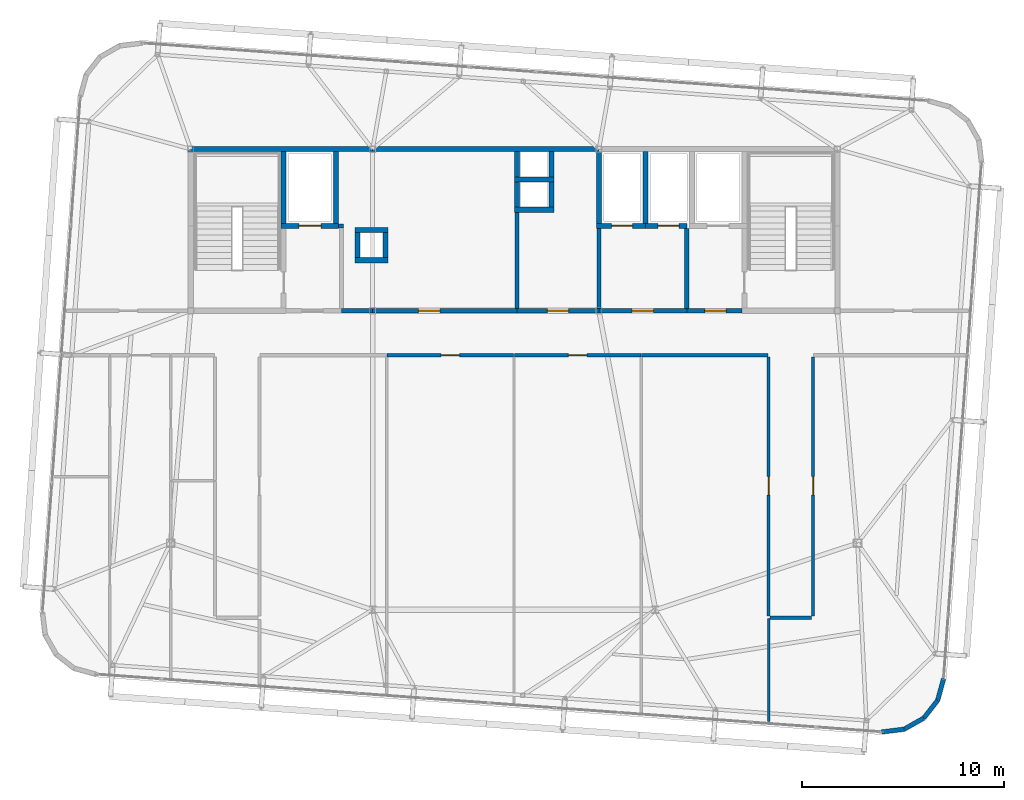
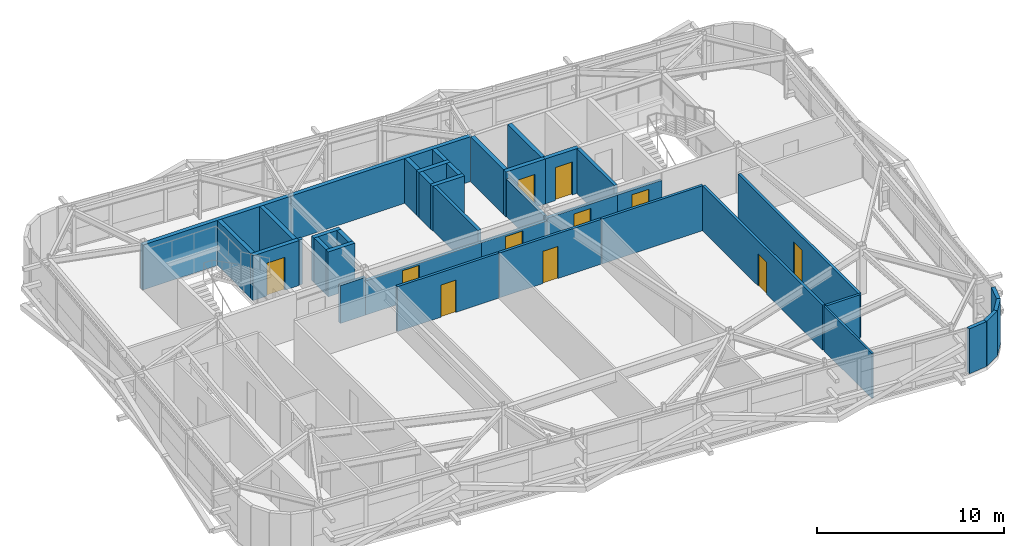
# One storey, part 39 of 42: 39 walls, 11 doors, 11 openings.
"""IFC4 building model written with IfcOpenShell, lengths in metres."""

from ifc_helpers import new_model, si_unit, direction, frame, frame_2d, origin, place, context, subcontext, project, spatial, rectangle, extrude, source, transform, mapped, material, layer, layer_set, type_object, element, fill, save


model = new_model("IFC4")

# Units and contexts
model_context = context("Model", 3, precision=1e-05, world=origin(), true_north=direction((0.0, 1.0)))
body_context = subcontext(model_context, "Body", "Model", "MODEL_VIEW")
ifc_project = project(units=[si_unit("LENGTHUNIT", "METRE"), si_unit("AREAUNIT", "SQUARE_METRE"), si_unit("VOLUMEUNIT", "CUBIC_METRE"), si_unit("PLANEANGLEUNIT", "RADIAN"), si_unit("MASSUNIT", "GRAM", prefix="KILO")], contexts=[model_context])

# Site, building, storey
site_placement = place(None, origin())
site = spatial("IfcSite", under=ifc_project, at=site_placement, CompositionType="ELEMENT")
building_placement = place(site_placement, origin())
building = spatial("IfcBuilding", under=site, at=building_placement, Name="Taldren Reach Tower", CompositionType="ELEMENT")
storey_placement = place(building_placement, frame((0.0, 0.0, 224.0)))
storey = spatial("IfcBuildingStorey", under=building, at=storey_placement, Name="L68", CompositionType="ELEMENT", Elevation=224.0)

# Walls
ifc_material_1 = material(Name="Pale Champagne Anodised Aluminium Cladding", Category="aluminium")
ifc_layer_1 = layer(ifc_material_1, 0.04, Name="Pale Champagne Anodised Aluminium Cladding", Category="aluminium")
ifc_material_2 = material(Name="Mineral Wool Acoustic Insulation", Category="insulation")
ifc_layer_2 = layer(ifc_material_2, 0.06, Name="Mineral Wool Acoustic Insulation", Category="insulation")
ifc_material_3 = material(Name="Steel Gr 350 (C350L0)", Category="steel")
ifc_layer_3 = layer(ifc_material_3, 0.12, Name="Steel Gr 350 (C350L0)", Category="steel")
ifc_layer_set_1 = layer_set([ifc_layer_1, ifc_layer_2, ifc_layer_3], Name="Pale Champagne Aluminium Cladding and Steel Gr 350 Stud Framing")
wall_type_1 = type_object("IfcWallType", Name="EW-CRN-220", PredefinedType="SOLIDWALL", material=ifc_layer_set_1)
shared_shape_1 = source(origin(), body_context, "Body", "SweptSolid", [
    extrude(rectangle(XDim=1.115966796875, YDim=0.219970703125, at=frame_2d((0.55810546875, 0.0))), origin(), (0.0, 0.0, 1.0), 2.929931640625),
])
for number, where, z_axis, x_axis, name in (
    (1, (53.20068359375, 3.15380859375, 0.0), (0.0, 0.0, 1.0), (0.992438604032, 0.122742076028, 0.0), "Rounded-corner pale-metal facade wall L68-SE1"),
    (2, (55.279052734375, 3.84130859375, 0.0), (0.0, 0.0, 1.0), (0.615015475096, 0.788515038152, 0.0), "Rounded-corner pale-metal facade wall L68-SE3"),
    (3, (55.96533203125, 4.72119140625, 0.0), (0.0, 0.0, 1.0), (0.26624444942, 0.963905541613, 0.0), "Rounded-corner pale-metal facade wall L68-SE4"),
):
    element("IfcWall", number, at=place(storey_placement, frame(where, z_axis=z_axis, x_axis=x_axis)), inside=storey, type_object=wall_type_1, Name=name, PredefinedType="SOLIDWALL", context=body_context, shape_type="MappedRepresentation", body=[
        mapped(shared_shape_1, transform((0.0, 0.0, 0.0), scale=1.0)),
    ])
shared_shape_2 = source(origin(), body_context, "Body", "SweptSolid", [
    extrude(rectangle(XDim=1.1162109375, YDim=0.219970703125, at=frame_2d((0.55810546875, 0.0))), origin(), (0.0, 0.0, 1.0), 2.929931640625),
])
wall_1_placement = place(storey_placement, frame((54.30810546875, 3.290771484375, 0.0), z_axis=(0.0, 0.0, 1.0), x_axis=(0.869893934693, 0.49323882895, 0.0)))
element("IfcWall", 4, at=wall_1_placement, inside=storey, type_object=wall_type_1, Name="Rounded-corner pale-metal facade wall L68-SE2", PredefinedType="SOLIDWALL", context=body_context, shape_type="MappedRepresentation", body=[
    mapped(shared_shape_2, transform((0.0, 0.0, 0.0), scale=1.0)),
])

# Wall, opening, door
ifc_material_4 = material(Name="Concrete S50 (50 MPa)", Category="concrete")
ifc_layer_4 = layer(ifc_material_4, 0.199951171875)
ifc_layer_set_2 = layer_set([ifc_layer_4], Name="Concrete S50 (50 MPa)")
wall_type_2 = type_object("IfcWallType", Name="IW-CORE-200", PredefinedType="SOLIDWALL", material=ifc_layer_set_2)
shared_shape_3 = source(origin(), body_context, "Body", "SweptSolid", [
    extrude(rectangle(XDim=4.35009765625, YDim=0.199951171875, at=frame_2d((2.175048828125, 0.0))), origin(), (0.0, 0.0, 1.0), 2.39697265625),
])
wall_2_placement = place(storey_placement, frame((43.550048828125, 24.0, 0.0), z_axis=(0.0, 0.0, 1.0), x_axis=(-1.0, 0.0, 0.0)))
wall_2 = element("IfcWall", 5, at=wall_2_placement, inside=storey, type_object=wall_type_2, Name="Rear Core Shear Wall W-INT-L68-030", PredefinedType="SOLIDWALL", context=body_context, shape_type="MappedRepresentation", body=[
    mapped(shared_shape_3, transform((0.0, 0.0, 0.0), scale=1.0)),
])
shared_shape_4 = source(origin(), body_context, "Body", "SweptSolid", [
    extrude(rectangle(XDim=1.050048828125, YDim=2.10009765625, at=frame_2d((0.52490234375, 1.050048828125))), frame((0.0, 0.10986328125, 0.0), z_axis=(0.0, -1.0, 0.0), x_axis=(1.0, 0.0, 0.0)), (0.0, 0.0, 1.0), 0.219970703125),
])
opening_1_placement = place(wall_2_placement, frame((1.64990234375, 0.0, 0.0)))
opening_1 = element("IfcOpeningElement", 6, at=opening_1_placement, cuts=wall_2, Name="Opening DF-105", PredefinedType="OPENING", context=body_context, shape_type="MappedRepresentation", body=[
    mapped(shared_shape_4, transform((0.0, 0.0, 0.0), scale=1.0)),
])
ifc_material_5 = material(Name="Fire-Rated Care and Stair Exit Door")
door_type_1 = type_object("IfcDoorType", Name="ID-FIRE-105", OperationType="NOTDEFINED", PredefinedType="DOOR", material=ifc_material_5)
shared_shape_5 = source(origin(), body_context, "Body", "SweptSolid", [
    extrude(rectangle(XDim=1.050048828125, YDim=2.10009765625, at=frame_2d((0.52490234375, 1.050048828125))), frame((0.0, 0.02490234375, 0.0), z_axis=(0.0, -1.0, 0.0), x_axis=(1.0, 0.0, 0.0)), (0.0, 0.0, 1.0), 0.050048828125),
])
door_1_placement = place(opening_1_placement, frame((1.050048828125, 0.0, 0.0), z_axis=(0.0, 0.0, 1.0), x_axis=(-1.0, 0.0, 0.0)))
door_1 = element("IfcDoor", 7, at=door_1_placement, inside=storey, type_object=door_type_1, Name="Interior Door DR-L68-005", OperationType="SINGLE_SWING_LEFT", OverallHeight=2.10009765625, OverallWidth=1.050048828125, PredefinedType="DOOR", context=body_context, shape_type="MappedRepresentation", body=[
    mapped(shared_shape_5, transform((0.0, 0.0, 0.0), scale=1.0)),
])
fill(opening_1, door_1)

# Wall
ifc_material_6 = material(Name="Fire-Rated Acoustic Plasterboard Stud Wall", Category="gypsum")
ifc_layer_5 = layer(ifc_material_6, 0.159912109375)
ifc_layer_set_3 = layer_set([ifc_layer_5], Name="Fire-Rated Acoustic Plasterboard Stud Wall")
wall_type_3 = type_object("IfcWallType", Name="IW-FIRE-160", PredefinedType="PARTITIONING", material=ifc_layer_set_3)
shared_shape_6 = source(origin(), body_context, "Body", "SweptSolid", [
    extrude(rectangle(XDim=2.0400390625, YDim=0.159912109375, at=frame_2d((1.02001953125, 0.0))), origin(), (0.0, 0.0, 1.0), 2.929931640625),
])
wall_3_placement = place(storey_placement, frame((49.719970703125, 8.800048828125, 0.0), z_axis=(0.0, 0.0, 1.0), x_axis=(-1.0, 0.0, 0.0)))
element("IfcWall", 8, at=wall_3_placement, inside=storey, type_object=wall_type_3, Name="Interior Partition Wall W-INT-L68-050", PredefinedType="PARTITIONING", context=body_context, shape_type="MappedRepresentation", body=[
    mapped(shared_shape_6, transform((0.0, 0.0, 0.0), scale=1.0)),
])

# Wall, opening, door
shared_shape_7 = source(origin(), body_context, "Body", "SweptSolid", [
    extrude(rectangle(XDim=6.259521484375, YDim=0.159912109375, at=frame_2d((3.1298828125, 0.0))), origin(), (0.0, 0.0, 1.0), 2.929931640625),
])
wall_4_placement = place(storey_placement, frame((34.979736328125, 21.800048828125, 0.0), z_axis=(0.0, 0.0, 1.0), x_axis=(-1.0, 0.0, 0.0)))
wall_4 = element("IfcWall", 9, at=wall_4_placement, inside=storey, type_object=wall_type_3, Name="Interior Partition Wall W-INT-L68-043", PredefinedType="PARTITIONING", context=body_context, shape_type="MappedRepresentation", body=[
    mapped(shared_shape_7, transform((0.0, 0.0, 0.0), scale=1.0)),
])
shared_shape_8 = source(origin(), body_context, "Body", "SweptSolid", [
    extrude(rectangle(XDim=0.919921875, YDim=2.10009765625, at=frame_2d((0.4599609375, 1.050048828125))), frame((0.0, 0.08984375, 0.0), z_axis=(0.0, -1.0, 0.0), x_axis=(1.0, 0.0, 0.0)), (0.0, 0.0, 1.0), 0.179931640625),
])
opening_2_placement = place(wall_4_placement, frame((2.669921875, 0.0, 0.0)))
opening_2 = element("IfcOpeningElement", 10, at=opening_2_placement, cuts=wall_4, Name="Opening DI-092", PredefinedType="OPENING", context=body_context, shape_type="MappedRepresentation", body=[
    mapped(shared_shape_8, transform((0.0, 0.0, 0.0), scale=1.0)),
])
ifc_material_7 = material(Name="Solid-Core Timber Suite Door", Category="wood")
door_type_2 = type_object("IfcDoorType", Name="ID-INT-092", OperationType="NOTDEFINED", PredefinedType="DOOR", material=ifc_material_7)
shared_shape_9 = source(origin(), body_context, "Body", "SweptSolid", [
    extrude(rectangle(XDim=0.919921875, YDim=2.10009765625, at=frame_2d((0.4599609375, 1.050048828125))), frame((0.0, 0.02490234375, 0.0), z_axis=(0.0, -1.0, 0.0), x_axis=(1.0, 0.0, 0.0)), (0.0, 0.0, 1.0), 0.050048828125),
])
door_2_placement = place(opening_2_placement, origin())
door_2 = element("IfcDoor", 11, at=door_2_placement, inside=storey, type_object=door_type_2, Name="Interior Door DR-L68-011", OperationType="SINGLE_SWING_RIGHT", OverallHeight=2.10009765625, OverallWidth=0.919921875, PredefinedType="DOOR", context=body_context, shape_type="MappedRepresentation", body=[
    mapped(shared_shape_9, transform((0.0, 0.0, 0.0), scale=1.0)),
])
fill(opening_2, door_2)

wall_5_placement = place(storey_placement, frame((41.27978515625, 21.800048828125, 0.0), z_axis=(0.0, 0.0, 1.0), x_axis=(-1.0, 0.0, 0.0)))
wall_5 = element("IfcWall", 12, at=wall_5_placement, inside=storey, type_object=wall_type_3, Name="Interior Partition Wall W-INT-L68-045", PredefinedType="PARTITIONING", context=body_context, shape_type="MappedRepresentation", body=[
    mapped(shared_shape_7, transform((0.0, 0.0, 0.0), scale=1.0)),
])
opening_3_placement = place(wall_5_placement, frame((2.669921875, 0.0, 0.0)))
opening_3 = element("IfcOpeningElement", 13, at=opening_3_placement, cuts=wall_5, Name="Opening DI-092", PredefinedType="OPENING", context=body_context, shape_type="MappedRepresentation", body=[
    mapped(shared_shape_8, transform((0.0, 0.0, 0.0), scale=1.0)),
])
door_3_placement = place(opening_3_placement, origin())
door_3 = element("IfcDoor", 14, at=door_3_placement, inside=storey, type_object=door_type_2, Name="Interior Door DR-L68-013", OperationType="SINGLE_SWING_RIGHT", OverallHeight=2.10009765625, OverallWidth=0.919921875, PredefinedType="DOOR", context=body_context, shape_type="MappedRepresentation", body=[
    mapped(shared_shape_9, transform((0.0, 0.0, 0.0), scale=1.0)),
])
fill(opening_3, door_3)

# Walls
ifc_material_8 = material(Name="Concrete S65 (65 MPa)", Category="concrete")
ifc_layer_6 = layer(ifc_material_8, 0.25)
ifc_layer_set_4 = layer_set([ifc_layer_6], Name="Concrete S65 (65 MPa)")
wall_type_4 = type_object("IfcWallType", Name="IW-CORE-250", PredefinedType="SHEAR", material=ifc_layer_set_4)
shared_shape_10 = source(origin(), body_context, "Body", "SweptSolid", [
    extrude(rectangle(XDim=9.125, YDim=0.25, at=frame_2d((4.5625, 0.0))), origin(), (0.0, 0.0, 1.0), 2.929931640625),
])
wall_6_placement = place(storey_placement, frame((18.875, 32.0, 0.0), z_axis=(0.0, 0.0, 1.0), x_axis=(1.0, 0.0, 0.0)))
element("IfcWall", 15, at=wall_6_placement, inside=storey, type_object=wall_type_4, Name="Rear Core Shear Wall W-CORE-L68-NORTH1", PredefinedType="SHEAR", context=body_context, shape_type="MappedRepresentation", body=[
    mapped(shared_shape_10, transform((0.0, 0.0, 0.0), scale=1.0)),
])
shared_shape_11 = source(origin(), body_context, "Body", "SweptSolid", [
    extrude(rectangle(XDim=11.199951171875, YDim=0.25, at=frame_2d((5.60009765625, 0.0))), origin(), (0.0, 0.0, 1.0), 2.929931640625),
])
wall_7_placement = place(storey_placement, frame((28.0, 32.0, 0.0), z_axis=(0.0, 0.0, 1.0), x_axis=(1.0, 0.0, 0.0)))
element("IfcWall", 16, at=wall_7_placement, inside=storey, type_object=wall_type_4, Name="Rear Core Shear Wall W-CORE-L68-NORTH2", PredefinedType="SHEAR", context=body_context, shape_type="MappedRepresentation", body=[
    mapped(shared_shape_11, transform((0.0, 0.0, 0.0), scale=1.0)),
])
shared_shape_12 = source(origin(), body_context, "Body", "SweptSolid", [
    extrude(rectangle(XDim=3.550048828125, YDim=0.25, at=frame_2d((1.77490234375, 0.0))), origin(), (0.0, 0.0, 1.0), 2.929931640625),
])
for number, where, z_axis, x_axis, name in (
    (17, (23.60009765625, 28.324951171875, 0.0), (0.0, 0.0, 1.0), (0.0, 1.0, 0.0), "Rear Core Shear Wall W-INT-L68-001"),
    (18, (26.199951171875, 28.324951171875, 0.0), (0.0, 0.0, 1.0), (0.0, 1.0, 0.0), "Rear Core Shear Wall W-INT-L68-005"),
    (19, (41.5, 28.324951171875, 0.0), (0.0, 0.0, 1.0), (0.0, 1.0, 0.0), "Rear Core Shear Wall W-INT-L68-025"),
    (20, (39.199951171875, 31.875, 0.0), (0.0, 0.0, 1.0), (0.0, -1.0, 0.0), "Rear Core Shear Wall W-INT-L68-027"),
):
    element("IfcWall", number, at=place(storey_placement, frame(where, z_axis=z_axis, x_axis=x_axis)), inside=storey, type_object=wall_type_4, Name=name, PredefinedType="SHEAR", context=body_context, shape_type="MappedRepresentation", body=[
        mapped(shared_shape_12, transform((0.0, 0.0, 0.0), scale=1.0)),
    ])

# Wall, opening, door
shared_shape_13 = source(origin(), body_context, "Body", "SweptSolid", [
    extrude(rectangle(XDim=2.849853515625, YDim=0.25, at=frame_2d((1.4248046875, 0.0))), origin(), (0.0, 0.0, 1.0), 2.929931640625),
])
wall_8_placement = place(storey_placement, frame((23.47509765625, 28.199951171875, 0.0), z_axis=(0.0, 0.0, 1.0), x_axis=(1.0, 0.0, 0.0)))
wall_8 = element("IfcWall", 21, at=wall_8_placement, inside=storey, type_object=wall_type_4, Name="Rear Core Shear Wall W-INT-L68-004", PredefinedType="SHEAR", context=body_context, shape_type="MappedRepresentation", body=[
    mapped(shared_shape_13, transform((0.0, 0.0, 0.0), scale=1.0)),
])
shared_shape_14 = source(origin(), body_context, "Body", "SweptSolid", [
    extrude(rectangle(XDim=1.10009765625, YDim=2.14990234375, at=frame_2d((0.550048828125, 1.074951171875))), frame((0.0, 0.135009765625, 0.0), z_axis=(0.0, -1.0, 0.0), x_axis=(1.0, 0.0, 0.0)), (0.0, 0.0, 1.0), 0.27001953125),
])
opening_4_placement = place(wall_8_placement, frame((0.875, 0.0, 0.0)))
opening_4 = element("IfcOpeningElement", 22, at=opening_4_placement, cuts=wall_8, Name="Opening LD-FL1", PredefinedType="OPENING", context=body_context, shape_type="MappedRepresentation", body=[
    mapped(shared_shape_14, transform((0.0, 0.0, 0.0), scale=1.0)),
])
ifc_material_9 = material(Name="Stainless Steel Gr 316 Emergency Lift Landing Door", Category="steel")
door_type_3 = type_object("IfcDoorType", Name="LD-EMG-110", OperationType="SLIDING_TO_LEFT", PredefinedType="DOOR", material=ifc_material_9)
shared_shape_15 = source(origin(), body_context, "Body", "SweptSolid", [
    extrude(rectangle(XDim=1.10009765625, YDim=2.14990234375, at=frame_2d((0.550048828125, 1.074951171875))), frame((0.0, 0.02490234375, 0.0), z_axis=(0.0, -1.0, 0.0), x_axis=(1.0, 0.0, 0.0)), (0.0, 0.0, 1.0), 0.050048828125),
])
door_4_placement = place(opening_4_placement, origin())
door_4 = element("IfcDoor", 23, at=door_4_placement, inside=storey, type_object=door_type_3, Name="Lift Landing Door LD-FL1-L68", OperationType="SLIDING_TO_LEFT", OverallHeight=2.14990234375, OverallWidth=1.10009765625, PredefinedType="DOOR", context=body_context, shape_type="MappedRepresentation", body=[
    mapped(shared_shape_15, transform((0.0, 0.0, 0.0), scale=1.0)),
])
fill(opening_4, door_4)

# Wall
shared_shape_16 = source(origin(), body_context, "Body", "SweptSolid", [
    extrude(rectangle(XDim=3.974853515625, YDim=0.199951171875, at=frame_2d((1.9873046875, 0.0))), origin(), (0.0, 0.0, 1.0), 2.929931640625),
])
wall_9_placement = place(storey_placement, frame((43.550048828125, 28.074951171875, 0.0), z_axis=(0.0, 0.0, 1.0), x_axis=(0.0, -1.0, 0.0)))
element("IfcWall", 24, at=wall_9_placement, inside=storey, type_object=wall_type_2, Name="Rear Core Shear Wall W-INT-L68-013", PredefinedType="SOLIDWALL", context=body_context, shape_type="MappedRepresentation", body=[
    mapped(shared_shape_16, transform((0.0, 0.0, 0.0), scale=1.0)),
])

# Wall, opening, door
shared_shape_17 = source(origin(), body_context, "Body", "SweptSolid", [
    extrude(rectangle(XDim=2.724853515625, YDim=0.199951171875, at=frame_2d((1.3623046875, 0.0))), origin(), (0.0, 0.0, 1.0), 2.39697265625),
])
wall_10_placement = place(storey_placement, frame((43.550048828125, 24.0, 0.0), z_axis=(0.0, 0.0, 1.0), x_axis=(1.0, 0.0, 0.0)))
wall_10 = element("IfcWall", 25, at=wall_10_placement, inside=storey, type_object=wall_type_2, Name="Rear Core Shear Wall W-INT-L68-014", PredefinedType="SOLIDWALL", context=body_context, shape_type="MappedRepresentation", body=[
    mapped(shared_shape_17, transform((0.0, 0.0, 0.0), scale=1.0)),
])
opening_5_placement = place(wall_10_placement, frame((0.89990234375, 0.0, 0.0)))
opening_5 = element("IfcOpeningElement", 26, at=opening_5_placement, cuts=wall_10, Name="Opening DF-105", PredefinedType="OPENING", context=body_context, shape_type="MappedRepresentation", body=[
    mapped(shared_shape_4, transform((0.0, 0.0, 0.0), scale=1.0)),
])
door_5_placement = place(opening_5_placement, origin())
door_5 = element("IfcDoor", 27, at=door_5_placement, inside=storey, type_object=door_type_1, Name="Interior Door DR-L68-004", OperationType="SINGLE_SWING_LEFT", OverallHeight=2.10009765625, OverallWidth=1.050048828125, PredefinedType="DOOR", context=body_context, shape_type="MappedRepresentation", body=[
    mapped(shared_shape_5, transform((0.0, 0.0, 0.0), scale=1.0)),
])
fill(opening_5, door_5)

# Walls
shared_shape_18 = source(origin(), body_context, "Body", "SweptSolid", [
    extrude(rectangle(XDim=1.9501953125, YDim=0.25, at=frame_2d((0.97509765625, 0.0))), origin(), (0.0, 0.0, 1.0), 2.929931640625),
])
for number, where, z_axis, x_axis, name in (
    (28, (35.02490234375, 30.5, 0.0), (0.0, 0.0, 1.0), (1.0, 0.0, 0.0), "Rear Core Shear Wall W-INT-L68-015"),
    (29, (35.02490234375, 29.0, 0.0), (0.0, 0.0, 1.0), (1.0, 0.0, 0.0), "Rear Core Shear Wall W-INT-L68-019"),
):
    element("IfcWall", number, at=place(storey_placement, frame(where, z_axis=z_axis, x_axis=x_axis)), inside=storey, type_object=wall_type_4, Name=name, PredefinedType="SHEAR", context=body_context, shape_type="MappedRepresentation", body=[
        mapped(shared_shape_18, transform((0.0, 0.0, 0.0), scale=1.0)),
    ])
shared_shape_19 = source(origin(), body_context, "Body", "SweptSolid", [
    extrude(rectangle(XDim=1.25, YDim=0.25, at=frame_2d((0.625, 0.0))), origin(), (0.0, 0.0, 1.0), 2.929931640625),
])
for number, where, z_axis, x_axis, name in (
    (30, (35.14990234375, 31.875, 0.0), (0.0, 0.0, 1.0), (0.0, -1.0, 0.0), "Rear Core Shear Wall W-INT-L68-016"),
    (31, (36.85009765625, 30.625, 0.0), (0.0, 0.0, 1.0), (0.0, 1.0, 0.0), "Rear Core Shear Wall W-INT-L68-017"),
    (32, (35.14990234375, 30.375, 0.0), (0.0, 0.0, 1.0), (0.0, -1.0, 0.0), "Rear Core Shear Wall W-INT-L68-018"),
    (33, (36.85009765625, 29.125, 0.0), (0.0, 0.0, 1.0), (0.0, 1.0, 0.0), "Rear Core Shear Wall W-INT-L68-020"),
    (34, (28.64990234375, 26.625, 0.0), (0.0, 0.0, 1.0), (0.0, 1.0, 0.0), "Rear Core Shear Wall W-INT-L68-021"),
    (35, (27.25, 27.875, 0.0), (0.0, 0.0, 1.0), (0.0, -1.0, 0.0), "Rear Core Shear Wall W-INT-L68-022"),
):
    element("IfcWall", number, at=place(storey_placement, frame(where, z_axis=z_axis, x_axis=x_axis)), inside=storey, type_object=wall_type_4, Name=name, PredefinedType="SHEAR", context=body_context, shape_type="MappedRepresentation", body=[
        mapped(shared_shape_19, transform((0.0, 0.0, 0.0), scale=1.0)),
    ])
shared_shape_20 = source(origin(), body_context, "Body", "SweptSolid", [
    extrude(rectangle(XDim=1.64990234375, YDim=0.25, at=frame_2d((0.824951171875, 0.0))), origin(), (0.0, 0.0, 1.0), 2.929931640625),
])
for number, where, z_axis, x_axis, name in (
    (36, (28.77490234375, 28.0, 0.0), (0.0, 0.0, 1.0), (-1.0, 0.0, 0.0), "Rear Core Shear Wall W-INT-L68-023"),
    (37, (27.125, 26.5, 0.0), (0.0, 0.0, 1.0), (1.0, 0.0, 0.0), "Rear Core Shear Wall W-INT-L68-024"),
):
    element("IfcWall", number, at=place(storey_placement, frame(where, z_axis=z_axis, x_axis=x_axis)), inside=storey, type_object=wall_type_4, Name=name, PredefinedType="SHEAR", context=body_context, shape_type="MappedRepresentation", body=[
        mapped(shared_shape_20, transform((0.0, 0.0, 0.0), scale=1.0)),
    ])

# Wall, opening, door
shared_shape_21 = source(origin(), body_context, "Body", "SweptSolid", [
    extrude(rectangle(XDim=2.425048828125, YDim=0.25, at=frame_2d((1.21240234375, 0.0))), origin(), (0.0, 0.0, 1.0), 2.929931640625),
])
wall_11_placement = place(storey_placement, frame((39.074951171875, 28.199951171875, 0.0), z_axis=(0.0, 0.0, 1.0), x_axis=(1.0, 0.0, 0.0)))
wall_11 = element("IfcWall", 38, at=wall_11_placement, inside=storey, type_object=wall_type_4, Name="Rear Core Shear Wall W-INT-L68-026", PredefinedType="SHEAR", context=body_context, shape_type="MappedRepresentation", body=[
    mapped(shared_shape_21, transform((0.0, 0.0, 0.0), scale=1.0)),
])
shared_shape_22 = source(origin(), body_context, "Body", "SweptSolid", [
    extrude(rectangle(XDim=1.050048828125, YDim=2.14990234375, at=frame_2d((0.52490234375, 1.074951171875))), frame((0.0, 0.135009765625, 0.0), z_axis=(0.0, -1.0, 0.0), x_axis=(1.0, 0.0, 0.0)), (0.0, 0.0, 1.0), 0.27001953125),
])
opening_6_placement = place(wall_11_placement, frame((0.75, 0.0, 0.0)))
opening_6 = element("IfcOpeningElement", 39, at=opening_6_placement, cuts=wall_11, Name="Opening LD-PH1", PredefinedType="OPENING", context=body_context, shape_type="MappedRepresentation", body=[
    mapped(shared_shape_22, transform((0.0, 0.0, 0.0), scale=1.0)),
])
ifc_material_10 = material(Name="Stainless Steel Gr 316 Passenger Lift Landing Door", Category="steel")
door_type_4 = type_object("IfcDoorType", Name="LD-PAS-105", OperationType="SLIDING_TO_LEFT", PredefinedType="DOOR", material=ifc_material_10)
shared_shape_23 = source(origin(), body_context, "Body", "SweptSolid", [
    extrude(rectangle(XDim=1.050048828125, YDim=2.14990234375, at=frame_2d((0.52490234375, 1.074951171875))), frame((0.0, 0.02490234375, 0.0), z_axis=(0.0, -1.0, 0.0), x_axis=(1.0, 0.0, 0.0)), (0.0, 0.0, 1.0), 0.050048828125),
])
door_6_placement = place(opening_6_placement, origin())
door_6 = element("IfcDoor", 40, at=door_6_placement, inside=storey, type_object=door_type_4, Name="Lift Landing Door LD-PH1-L68", OperationType="SLIDING_TO_LEFT", OverallHeight=2.14990234375, OverallWidth=1.050048828125, PredefinedType="DOOR", context=body_context, shape_type="MappedRepresentation", body=[
    mapped(shared_shape_23, transform((0.0, 0.0, 0.0), scale=1.0)),
])
fill(opening_6, door_6)

shared_shape_24 = source(origin(), body_context, "Body", "SweptSolid", [
    extrude(rectangle(XDim=2.070068359375, YDim=0.25, at=frame_2d((1.03515625, 0.0))), origin(), (0.0, 0.0, 1.0), 2.929931640625),
])
wall_12_placement = place(storey_placement, frame((41.5, 28.199951171875, 0.0), z_axis=(0.0, 0.0, 1.0), x_axis=(1.0, 0.0, 0.0)))
wall_12 = element("IfcWall", 41, at=wall_12_placement, inside=storey, type_object=wall_type_4, Name="Rear Core Shear Wall W-INT-L68-028", PredefinedType="SHEAR", context=body_context, shape_type="MappedRepresentation", body=[
    mapped(shared_shape_24, transform((0.0, 0.0, 0.0), scale=1.0)),
])
opening_7_placement = place(wall_12_placement, frame((0.625, 0.0, 0.0)))
opening_7 = element("IfcOpeningElement", 42, at=opening_7_placement, cuts=wall_12, Name="Opening LD-PH2", PredefinedType="OPENING", context=body_context, shape_type="MappedRepresentation", body=[
    mapped(shared_shape_22, transform((0.0, 0.0, 0.0), scale=1.0)),
])
door_7_placement = place(opening_7_placement, origin())
door_7 = element("IfcDoor", 43, at=door_7_placement, inside=storey, type_object=door_type_4, Name="Lift Landing Door LD-PH2-L68", OperationType="SLIDING_TO_LEFT", OverallHeight=2.14990234375, OverallWidth=1.050048828125, PredefinedType="DOOR", context=body_context, shape_type="MappedRepresentation", body=[
    mapped(shared_shape_23, transform((0.0, 0.0, 0.0), scale=1.0)),
])
fill(opening_7, door_7)

shared_shape_25 = source(origin(), body_context, "Body", "SweptSolid", [
    extrude(rectangle(XDim=12.840087890625, YDim=0.159912109375, at=frame_2d((6.419921875, 0.0))), origin(), (0.0, 0.0, 1.0), 2.929931640625),
])
wall_13_placement = place(storey_placement, frame((47.60009765625, 8.8798828125, 0.0), z_axis=(0.0, 0.0, 1.0), x_axis=(0.0, 1.0, 0.0)))
wall_13 = element("IfcWall", 44, at=wall_13_placement, inside=storey, type_object=wall_type_3, Name="Interior Partition Wall W-INT-L68-046", PredefinedType="PARTITIONING", context=body_context, shape_type="MappedRepresentation", body=[
    mapped(shared_shape_25, transform((0.0, 0.0, 0.0), scale=1.0)),
])
opening_8_placement = place(wall_13_placement, frame((5.98974609375, 0.0, 0.0)))
opening_8 = element("IfcOpeningElement", 45, at=opening_8_placement, cuts=wall_13, Name="Opening DI-092", PredefinedType="OPENING", context=body_context, shape_type="MappedRepresentation", body=[
    mapped(shared_shape_8, transform((0.0, 0.0, 0.0), scale=1.0)),
])
door_8_placement = place(opening_8_placement, origin())
door_8 = element("IfcDoor", 46, at=door_8_placement, inside=storey, type_object=door_type_2, Name="Interior Door DR-L68-014", OperationType="SINGLE_SWING_LEFT", OverallHeight=2.10009765625, OverallWidth=0.919921875, PredefinedType="DOOR", context=body_context, shape_type="MappedRepresentation", body=[
    mapped(shared_shape_9, transform((0.0, 0.0, 0.0), scale=1.0)),
])
fill(opening_8, door_8)

wall_14_placement = place(storey_placement, frame((49.800048828125, 21.719970703125, 0.0), z_axis=(0.0, 0.0, 1.0), x_axis=(0.0, -1.0, 0.0)))
wall_14 = element("IfcWall", 47, at=wall_14_placement, inside=storey, type_object=wall_type_3, Name="Interior Partition Wall W-INT-L68-048", PredefinedType="PARTITIONING", context=body_context, shape_type="MappedRepresentation", body=[
    mapped(shared_shape_25, transform((0.0, 0.0, 0.0), scale=1.0)),
])
opening_9_placement = place(wall_14_placement, frame((5.93017578125, 0.0, 0.0)))
opening_9 = element("IfcOpeningElement", 48, at=opening_9_placement, cuts=wall_14, Name="Opening DI-092", PredefinedType="OPENING", context=body_context, shape_type="MappedRepresentation", body=[
    mapped(shared_shape_8, transform((0.0, 0.0, 0.0), scale=1.0)),
])
door_9_placement = place(opening_9_placement, origin())
door_9 = element("IfcDoor", 49, at=door_9_placement, inside=storey, type_object=door_type_2, Name="Interior Door DR-L68-015", OperationType="SINGLE_SWING_RIGHT", OverallHeight=2.10009765625, OverallWidth=0.919921875, PredefinedType="DOOR", context=body_context, shape_type="MappedRepresentation", body=[
    mapped(shared_shape_9, transform((0.0, 0.0, 0.0), scale=1.0)),
])
fill(opening_9, door_9)

# Walls
shared_shape_26 = source(origin(), body_context, "Body", "SweptSolid", [
    extrude(rectangle(XDim=0.22509765625, YDim=0.199951171875, at=frame_2d((0.112548828125, 0.0))), origin(), (0.0, 0.0, 1.0), 2.929931640625),
])
wall_15_placement = place(storey_placement, frame((26.324951171875, 28.199951171875, 0.0), z_axis=(0.0, 0.0, 1.0), x_axis=(1.0, 0.0, 0.0)))
element("IfcWall", 50, at=wall_15_placement, inside=storey, type_object=wall_type_2, Name="Rear Core Partition Wall W-INT-L68-062", PredefinedType="SOLIDWALL", context=body_context, shape_type="MappedRepresentation", body=[
    mapped(shared_shape_26, transform((0.0, 0.0, 0.0), scale=1.0)),
])
shared_shape_27 = source(origin(), body_context, "Body", "SweptSolid", [
    extrude(rectangle(XDim=3.974853515625, YDim=0.199951171875, at=frame_2d((1.9873046875, 0.0))), origin(), (0.0, 0.0, 1.0), 2.469970703125),
])
wall_16_placement = place(storey_placement, frame((39.199951171875, 24.10009765625, 0.0), z_axis=(0.0, 0.0, 1.0), x_axis=(0.0, 1.0, 0.0)))
element("IfcWall", 51, at=wall_16_placement, inside=storey, type_object=wall_type_2, Name="Rear Core Shear Wall W-INT-L68-029", PredefinedType="SOLIDWALL", context=body_context, shape_type="MappedRepresentation", body=[
    mapped(shared_shape_27, transform((0.0, 0.0, 0.0), scale=1.0)),
])
shared_shape_28 = source(origin(), body_context, "Body", "SweptSolid", [
    extrude(rectangle(XDim=4.77490234375, YDim=0.199951171875, at=frame_2d((2.387451171875, 0.0))), origin(), (0.0, 0.0, 1.0), 2.929931640625),
])
wall_17_placement = place(storey_placement, frame((35.14990234375, 28.875, 0.0), z_axis=(0.0, 0.0, 1.0), x_axis=(0.0, -1.0, 0.0)))
element("IfcWall", 52, at=wall_17_placement, inside=storey, type_object=wall_type_2, Name="Rear Core Shear Wall W-INT-L68-031", PredefinedType="SOLIDWALL", context=body_context, shape_type="MappedRepresentation", body=[
    mapped(shared_shape_28, transform((0.0, 0.0, 0.0), scale=1.0)),
])
shared_shape_29 = source(origin(), body_context, "Body", "SweptSolid", [
    extrude(rectangle(XDim=6.25927734375, YDim=0.159912109375, at=frame_2d((3.129638671875, 0.0))), origin(), (0.0, 0.0, 1.0), 2.929931640625),
])
wall_18_placement = place(storey_placement, frame((47.57958984375, 21.800048828125, 0.0), z_axis=(0.0, 0.0, 1.0), x_axis=(-1.0, 0.0, 0.0)))
element("IfcWall", 53, at=wall_18_placement, inside=storey, type_object=wall_type_3, Name="Interior Partition Wall W-INT-L68-047", PredefinedType="PARTITIONING", context=body_context, shape_type="MappedRepresentation", body=[
    mapped(shared_shape_29, transform((0.0, 0.0, 0.0), scale=1.0)),
])
ifc_material_11 = material(Name="Insulated Residential Stud Partition", Category="gypsum")
ifc_layer_7 = layer(ifc_material_11, 0.1201171875)
ifc_layer_set_5 = layer_set([ifc_layer_7], Name="Insulated Residential Stud Partition")
wall_type_5 = type_object("IfcWallType", Name="IW-PART-120", PredefinedType="PARTITIONING", material=ifc_layer_set_5)
shared_shape_30 = source(origin(), body_context, "Body", "SweptSolid", [
    extrude(rectangle(XDim=5.116455078125, YDim=0.1201171875, at=frame_2d((2.55810546875, 0.0))), origin(), (0.0, 0.0, 1.0), 2.929931640625),
])
wall_19_placement = place(storey_placement, frame((47.60009765625, 8.77978515625, 0.0), z_axis=(0.0, 0.0, 1.0), x_axis=(0.0, -1.0, 0.0)))
element("IfcWall", 54, at=wall_19_placement, inside=storey, type_object=wall_type_5, Name="Interior Partition Wall W-INT-L68-061", PredefinedType="PARTITIONING", context=body_context, shape_type="MappedRepresentation", body=[
    mapped(shared_shape_30, transform((0.0, 0.0, 0.0), scale=1.0)),
])

# Wall, opening, door
shared_shape_31 = source(origin(), body_context, "Body", "SweptSolid", [
    extrude(rectangle(XDim=7.14990234375, YDim=0.199951171875, at=frame_2d((3.574951171875, 0.0))), origin(), (0.0, 0.0, 1.0), 2.22998046875),
])
wall_20_placement = place(storey_placement, frame((35.14990234375, 24.0, 0.0), z_axis=(0.0, 0.0, 1.0), x_axis=(-1.0, 0.0, 0.0)))
wall_20 = element("IfcWall", 55, at=wall_20_placement, inside=storey, type_object=wall_type_2, Name="Rear Core Shear Wall W-INT-L68-032", PredefinedType="SOLIDWALL", context=body_context, shape_type="MappedRepresentation", body=[
    mapped(shared_shape_31, transform((0.0, 0.0, 0.0), scale=1.0)),
])
opening_10_placement = place(wall_20_placement, frame((3.824951171875, 0.0, 0.0)))
opening_10 = element("IfcOpeningElement", 56, at=opening_10_placement, cuts=wall_20, Name="Opening DF-105", PredefinedType="OPENING", context=body_context, shape_type="MappedRepresentation", body=[
    mapped(shared_shape_4, transform((0.0, 0.0, 0.0), scale=1.0)),
])
door_10_placement = place(opening_10_placement, frame((1.050048828125, 0.0, 0.0), z_axis=(0.0, 0.0, 1.0), x_axis=(-1.0, 0.0, 0.0)))
door_10 = element("IfcDoor", 57, at=door_10_placement, inside=storey, type_object=door_type_1, Name="Interior Door DR-L68-006", OperationType="SINGLE_SWING_RIGHT", OverallHeight=2.10009765625, OverallWidth=1.050048828125, PredefinedType="DOOR", context=body_context, shape_type="MappedRepresentation", body=[
    mapped(shared_shape_5, transform((0.0, 0.0, 0.0), scale=1.0)),
])
fill(opening_10, door_10)

# Wall
shared_shape_32 = source(origin(), body_context, "Body", "SweptSolid", [
    extrude(rectangle(XDim=1.550048828125, YDim=0.199951171875, at=frame_2d((0.77490234375, 0.0))), origin(), (0.0, 0.0, 1.0), 2.469970703125),
])
wall_21_placement = place(storey_placement, frame((28.0, 24.0, 0.0), z_axis=(0.0, 0.0, 1.0), x_axis=(-1.0, 0.0, 0.0)))
element("IfcWall", 58, at=wall_21_placement, inside=storey, type_object=wall_type_2, Name="Rear Core Shear Wall W-INT-L68-032 part 2", PredefinedType="SOLIDWALL", context=body_context, shape_type="MappedRepresentation", body=[
    mapped(shared_shape_32, transform((0.0, 0.0, 0.0), scale=1.0)),
])

# Wall, opening, door
shared_shape_33 = source(origin(), body_context, "Body", "SweptSolid", [
    extrude(rectangle(XDim=4.050048828125, YDim=0.199951171875, at=frame_2d((2.02490234375, 0.0))), origin(), (0.0, 0.0, 1.0), 2.22998046875),
])
wall_22_placement = place(storey_placement, frame((39.199951171875, 24.0, 0.0), z_axis=(0.0, 0.0, 1.0), x_axis=(-1.0, 0.0, 0.0)))
wall_22 = element("IfcWall", 59, at=wall_22_placement, inside=storey, type_object=wall_type_2, Name="Rear Core Shear Wall W-INT-L68-033", PredefinedType="SOLIDWALL", context=body_context, shape_type="MappedRepresentation", body=[
    mapped(shared_shape_33, transform((0.0, 0.0, 0.0), scale=1.0)),
])
opening_11_placement = place(wall_22_placement, frame((1.5, 0.0, 0.0)))
opening_11 = element("IfcOpeningElement", 60, at=opening_11_placement, cuts=wall_22, Name="Opening DF-105", PredefinedType="OPENING", context=body_context, shape_type="MappedRepresentation", body=[
    mapped(shared_shape_4, transform((0.0, 0.0, 0.0), scale=1.0)),
])
door_11_placement = place(opening_11_placement, frame((1.050048828125, 0.0, 0.0), z_axis=(0.0, 0.0, 1.0), x_axis=(-1.0, 0.0, 0.0)))
door_11 = element("IfcDoor", 61, at=door_11_placement, inside=storey, type_object=door_type_1, Name="Interior Door DR-L68-007", OperationType="SINGLE_SWING_LEFT", OverallHeight=2.10009765625, OverallWidth=1.050048828125, PredefinedType="DOOR", context=body_context, shape_type="MappedRepresentation", body=[
    mapped(shared_shape_5, transform((0.0, 0.0, 0.0), scale=1.0)),
])
fill(opening_11, door_11)

save(model, "model.ifc")
